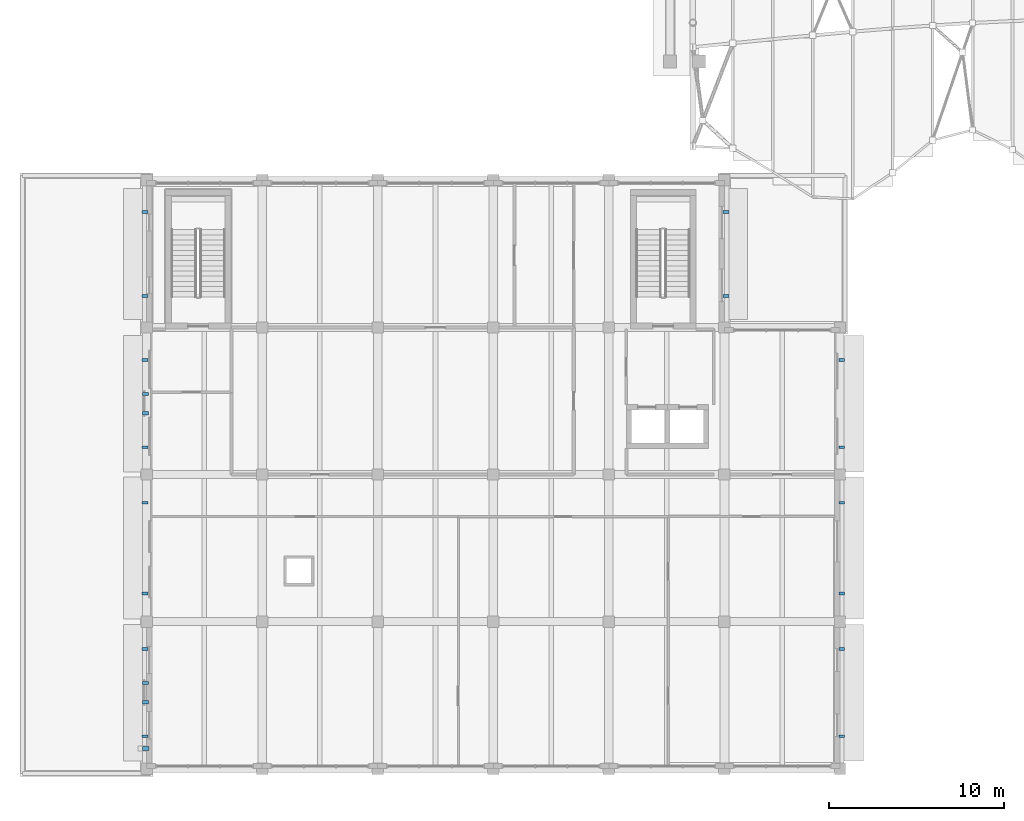
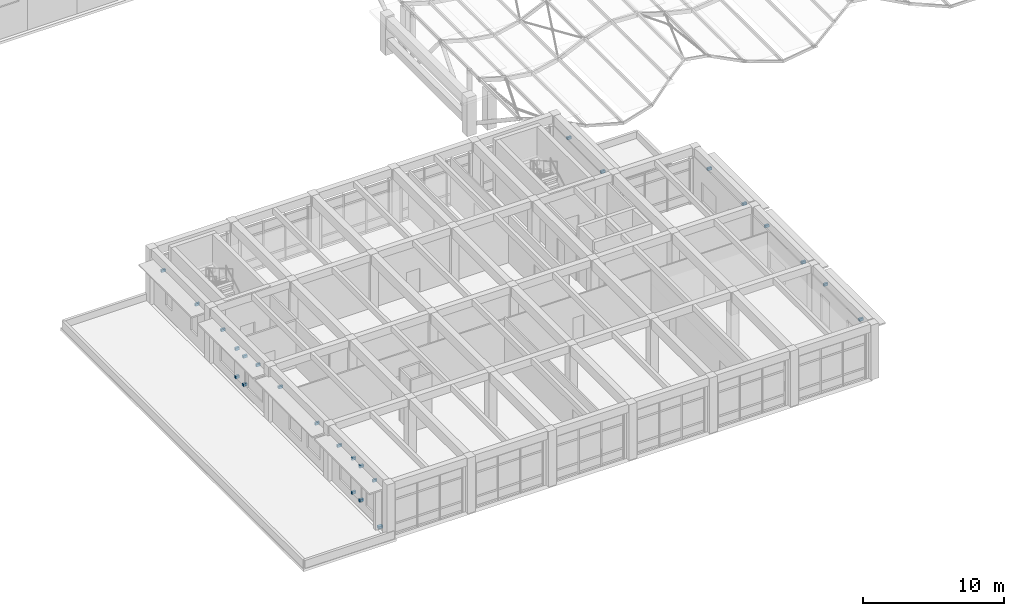
# One storey, part 63 of 79: 25 discrete accessories.
"""IFC4 building model written with IfcOpenShell, lengths in metres."""

import ifcopenshell
import ifcopenshell.guid

model = None  # the IFC model being written
_history = None  # IfcOwnerHistory: only IFC2X3 demands one
_inside = {}  # id of a spatial element -> (the spatial element, [elements in it])
_under = {}  # id of a project, library or spatial element -> (it, [spatial elements below it])
_declared = {}  # id of a project -> (the project, [libraries it declares])
_typed = {}  # id of a type object -> (the type object, [elements of that type])
_made_of = {}  # id of a material, layer set ... -> (it, [elements and type objects made of it])


def new_model(schema):
    """Start an empty IFC model of exactly this schema.

    Asked for "IFC4X3", IfcOpenShell would pick the latest addendum, in which some entities
    have other attributes; the version numbers below select the first issue.
    IFC2X3 requires an IfcOwnerHistory on every rooted entity: one is made here for all.
    """
    global model, _history
    if schema == "IFC4X3":
        model = ifcopenshell.file(schema_version=(4, 3, 0, 0))
    else:
        model = ifcopenshell.file(schema=schema)
    _inside.clear()
    _under.clear()
    _declared.clear()
    _typed.clear()
    _made_of.clear()
    _history = None
    if model.schema == "IFC2X3":
        org = make("IfcOrganization", Name="unknown")
        user = make(
            "IfcPersonAndOrganization",
            ThePerson=make("IfcPerson", FamilyName="unknown"),
            TheOrganization=org,
        )
        app = make(
            "IfcApplication",
            ApplicationDeveloper=org,
            Version="unknown",
            ApplicationFullName="unknown",
            ApplicationIdentifier="unknown",
        )
        _history = make(
            "IfcOwnerHistory",
            OwningUser=user,
            OwningApplication=app,
            ChangeAction="ADDED",
            CreationDate=0,
        )
    return model


def make(cls, **values):
    """One entity of the class cls with the attributes given. An attribute that is None is left unset."""
    return model.create_entity(
        cls, **{name: value for name, value in values.items() if value is not None}
    )


def rooted(cls, **values):
    """An entity with a GlobalId (a new one), such as an element, a storey or a relation."""
    return make(cls, GlobalId=ifcopenshell.guid.new(), OwnerHistory=_history, **values)


def si_unit(unit_type, name, prefix=None):
    """IfcSIUnit, for example si_unit("LENGTHUNIT", "METRE", prefix="MILLI")."""
    return make("IfcSIUnit", UnitType=unit_type, Prefix=prefix, Name=name)


def assignment(units):
    """IfcUnitAssignment: the units of a project."""
    return None if units is None else make("IfcUnitAssignment", Units=units)


def point(xyz):
    """IfcCartesianPoint."""
    return None if xyz is None else make("IfcCartesianPoint", Coordinates=xyz)


def direction(xyz):
    """IfcDirection."""
    return None if xyz is None else make("IfcDirection", DirectionRatios=xyz)


def frame(location, z_axis=None, x_axis=None):
    """IfcAxis2Placement3D, a coordinate frame: its origin and axes. An axis left out is left unset."""
    return make(
        "IfcAxis2Placement3D",
        Location=point(location),
        Axis=direction(z_axis),
        RefDirection=direction(x_axis),
    )


def frame_2d(location, x_axis=None):
    """IfcAxis2Placement2D, a coordinate frame in the plane: its origin and x axis."""
    return make(
        "IfcAxis2Placement2D", Location=point(location), RefDirection=direction(x_axis)
    )


def origin():
    """The frame at (0, 0, 0) with its axes left unset."""
    return frame((0.0, 0.0, 0.0))


def origin_2d():
    """The frame at (0, 0) in the plane with its x axis left unset."""
    return frame_2d((0.0, 0.0))


def place(relative_to, where):
    """IfcLocalPlacement: puts the frame where relative to a parent placement (None: the world)."""
    return make(
        "IfcLocalPlacement", PlacementRelTo=relative_to, RelativePlacement=where
    )


def context(
    kind, dimensions, precision=None, world=None, true_north=None, identifier=None
):
    """IfcGeometricRepresentationContext, for example the 3D "Model" context."""
    return make(
        "IfcGeometricRepresentationContext",
        ContextIdentifier=identifier,
        ContextType=kind,
        CoordinateSpaceDimension=dimensions,
        Precision=precision,
        WorldCoordinateSystem=world,
        TrueNorth=true_north,
    )


def subcontext(parent, identifier, kind, view, scale=None):
    """IfcGeometricRepresentationSubContext, for example "Body" below "Model"."""
    return make(
        "IfcGeometricRepresentationSubContext",
        ContextIdentifier=identifier,
        ContextType=kind,
        ParentContext=parent,
        TargetScale=scale,
        TargetView=view,
    )


def project(units=None, contexts=None):
    """IfcProject with its units and contexts."""
    return rooted(
        "IfcProject",
        Name="project",
        RepresentationContexts=contexts,
        UnitsInContext=assignment(units),
    )


def spatial(cls, under=None, at=None, **own):
    """A site, building, storey or space (cls), placed at a placement, below another one or the project."""
    s = rooted(cls, ObjectPlacement=at, **own)
    if under is not None:
        _under.setdefault(under.id(), (under, []))[1].append(s)
    return s


def profile(cls, at=None, kind="AREA", **sizes):
    """A parametric profile (cls). Its sizes go by their IFC names, for example OverallWidth=200.0."""
    return make(cls, ProfileType=kind, Position=at, **sizes)


def rectangle(**sizes):
    """IfcRectangleProfileDef."""
    return profile("IfcRectangleProfileDef", **sizes)


def extrude(swept, where, along, depth):
    """IfcExtrudedAreaSolid: the profile swept, set in the frame where, extruded along a direction by depth."""
    return make(
        "IfcExtrudedAreaSolid",
        SweptArea=swept,
        Position=where,
        ExtrudedDirection=direction(along),
        Depth=depth,
    )


def shape(context_of_items, identifier, shape_type, items):
    """IfcShapeRepresentation: the items that make up one representation, for example the "Body"."""
    return make(
        "IfcShapeRepresentation",
        ContextOfItems=context_of_items,
        RepresentationIdentifier=identifier,
        RepresentationType=shape_type,
        Items=items,
    )


def material(Name=None, Category=None):
    """IfcMaterial."""
    return make("IfcMaterial", Name=Name, Category=Category)


def made_of(thing, what):
    """Note that an element or type object is made of a material, layer set ...; save() writes the relation."""
    if what is not None:
        _made_of.setdefault(what.id(), (what, []))[1].append(thing)
    return thing


def type_object(cls, material=None, **own):
    """A type object (cls), such as IfcWallType, which elements share."""
    return made_of(rooted(cls, **own), material)


def element(
    cls,
    number,
    at=None,
    inside=None,
    cuts=None,
    type_object=None,
    material=None,
    context=None,
    identifier="Body",
    shape_type=None,
    held_by="IfcProductDefinitionShape",
    body=None,
    shapes=None,
    **own,
):
    """One element of the class cls, such as IfcWall. Its Tag is "e" and its number.

    at: its placement. inside: the storey or other place that contains it. cuts: it is an
    opening in that element (IfcRelVoidsElement). A single representation is given by context,
    identifier, shape_type and body (its items); several are given by shapes. held_by: the class
    of the entity that holds the representations. save() writes the other relations.
    """
    e = rooted(cls, Tag="e%d" % number, ObjectPlacement=at, **own)
    if body is not None:
        shapes = [shape(context, identifier, shape_type, body)]
    if shapes is not None:
        e.Representation = make(held_by, Representations=shapes)
    if inside is not None:
        _inside.setdefault(inside.id(), (inside, []))[1].append(e)
    if cuts is not None:
        rooted(
            "IfcRelVoidsElement", RelatingBuildingElement=cuts, RelatedOpeningElement=e
        )
    if type_object is not None:
        _typed.setdefault(type_object.id(), (type_object, []))[1].append(e)
    return made_of(e, material)


def aggregate(whole, parts):
    """IfcRelAggregates: a whole, such as a stair, and the parts it consists of."""
    return rooted("IfcRelAggregates", RelatingObject=whole, RelatedObjects=parts)


def save(model, path):
    """Write the relations noted so far, then the file.

    IfcRelAggregates (storeys below a building ...), IfcRelContainedInSpatialStructure (elements
    in a storey), IfcRelDefinesByType, IfcRelAssociatesMaterial and IfcRelDeclares: one each for
    every whole, place, type object, material and project.
    """
    for whole, parts in _under.values():
        aggregate(whole, parts)
    for where, things in _inside.values():
        rooted(
            "IfcRelContainedInSpatialStructure",
            RelatedElements=things,
            RelatingStructure=where,
        )
    for kind, things in _typed.values():
        rooted("IfcRelDefinesByType", RelatedObjects=things, RelatingType=kind)
    for what, things in _made_of.values():
        rooted("IfcRelAssociatesMaterial", RelatedObjects=things, RelatingMaterial=what)
    for by, libraries in _declared.values():
        rooted("IfcRelDeclares", RelatingContext=by, RelatedDefinitions=libraries)
    model.write(path)


model = new_model("IFC4")

# Units and contexts
model_context = context("Model", 3, precision=1e-05, world=origin(), true_north=direction((0.0, 1.0)))
body_context = subcontext(model_context, "Body", "Model", "MODEL_VIEW")
ifc_project = project(units=[si_unit("LENGTHUNIT", "METRE"), si_unit("AREAUNIT", "SQUARE_METRE"), si_unit("VOLUMEUNIT", "CUBIC_METRE"), si_unit("PLANEANGLEUNIT", "RADIAN"), si_unit("MASSUNIT", "GRAM", prefix="KILO")], contexts=[model_context])

# Site, building, storey
site_placement = place(None, origin())
site = spatial("IfcSite", under=ifc_project, at=site_placement, CompositionType="ELEMENT")
building_placement = place(site_placement, origin())
building = spatial("IfcBuilding", under=site, at=building_placement, Name="Kolvaren Faculty of Natural Sciences", CompositionType="ELEMENT")
storey_placement = place(building_placement, frame((0.0, 0.0, 10.199951171875)))
storey = spatial("IfcBuildingStorey", under=building, at=storey_placement, Name="L02", CompositionType="ELEMENT", Elevation=10.199951171875)

# Discrete accessories
ifc_material = material(Name="Structural steel EN 10025-2 S355J2", Category="steel")
discrete_accessory_type = type_object("IfcDiscreteAccessoryType", Name="FacadeSupportBracket_260", PredefinedType="BRACKET", material=ifc_material)
for number, where, z_axis, x_axis, name in (
    (1, (39.89990234375, 40.39990234375, 3.56494140625), (0.0, 0.0, 1.0), (0.0, -1.0, 0.0), "L02 chhajja hood steel bracket"),
    (2, (39.89990234375, 35.60009765625, 3.56494140625), (0.0, 0.0, 1.0), (0.0, -1.0, 0.0), "L02 chhajja hood steel bracket"),
    (3, (46.5, 31.946044921875, 3.71484375), (0.0, 0.0, 1.0), (0.0, -1.0, 0.0), "L02 chhajja hood steel bracket"),
    (4, (46.5, 26.9541015625, 3.71484375), (0.0, 0.0, 1.0), (0.0, -1.0, 0.0), "L02 chhajja hood steel bracket"),
    (5, (46.5, 23.7919921875, 3.71484375), (0.0, 0.0, 1.0), (0.0, -1.0, 0.0), "L02 chhajja hood steel bracket"),
    (6, (46.5, 18.60791015625, 3.71484375), (0.0, 0.0, 1.0), (0.0, -1.0, 0.0), "L02 chhajja hood steel bracket"),
    (7, (46.5, 15.446044921875, 3.71484375), (0.0, 0.0, 1.0), (0.0, -1.0, 0.0), "L02 chhajja hood steel bracket"),
    (8, (46.5, 10.4541015625, 3.71484375), (0.0, 0.0, 1.0), (0.0, -1.0, 0.0), "L02 chhajja hood steel bracket"),
):
    element("IfcDiscreteAccessory", number, at=place(storey_placement, frame(where, z_axis=z_axis, x_axis=x_axis)), inside=storey, type_object=discrete_accessory_type, Name=name, PredefinedType="BRACKET", context=body_context, shape_type="SweptSolid", body=[
        extrude(rectangle(XDim=0.159912109375, YDim=0.340087890625, at=origin_2d()), origin(), (0.0, 0.0, 1.0), 0.219970703125),
    ])
discrete_accessory_placement = place(storey_placement, frame((6.760009765625, 9.75, 0.10986328125), z_axis=(0.0, 0.0, 1.0), x_axis=(0.0, 1.0, 0.0)))
element("IfcDiscreteAccessory", 9, at=discrete_accessory_placement, inside=storey, type_object=discrete_accessory_type, Name="L02 facade relief pier anchor bracket 3", PredefinedType="BRACKET", context=body_context, shape_type="SweptSolid", body=[
    extrude(rectangle(XDim=0.239990234375, YDim=0.360107421875, at=origin_2d()), origin(), (0.0, 0.0, 1.0), 0.219970703125),
])
for number, where, z_axis, x_axis, name in (
    (10, (6.699951171875, 10.4541015625, 3.71484375), (0.0, 0.0, 1.0), (0.0, 1.0, 0.0), "L02 chhajja hood steel bracket"),
    (11, (6.699951171875, 15.446044921875, 3.71484375), (0.0, 0.0, 1.0), (0.0, 1.0, 0.0), "L02 chhajja hood steel bracket"),
):
    element("IfcDiscreteAccessory", number, at=place(storey_placement, frame(where, z_axis=z_axis, x_axis=x_axis)), inside=storey, type_object=discrete_accessory_type, Name=name, PredefinedType="BRACKET", context=body_context, shape_type="SweptSolid", body=[
        extrude(rectangle(XDim=0.159912109375, YDim=0.340087890625, at=origin_2d()), origin(), (0.0, 0.0, 1.0), 0.219970703125),
    ])
for number, where, z_axis, x_axis, name in (
    (12, (6.739990234375, 12.39892578125, 0.81982421875), (0.0, 0.0, 1.0), (0.0, 1.0, 0.0), "L02 jali screen wall bracket"),
    (13, (6.739990234375, 13.5009765625, 0.81982421875), (0.0, 0.0, 1.0), (0.0, 1.0, 0.0), "L02 jali screen wall bracket"),
    (14, (6.739990234375, 12.39892578125, 3.76025390625), (0.0, 0.0, 1.0), (0.0, 1.0, 0.0), "L02 jali screen wall bracket"),
    (15, (6.739990234375, 13.5009765625, 3.76025390625), (0.0, 0.0, 1.0), (0.0, 1.0, 0.0), "L02 jali screen wall bracket"),
):
    element("IfcDiscreteAccessory", number, at=place(storey_placement, frame(where, z_axis=z_axis, x_axis=x_axis)), inside=storey, type_object=discrete_accessory_type, Name=name, PredefinedType="BRACKET", context=body_context, shape_type="SweptSolid", body=[
        extrude(rectangle(XDim=0.179931640625, YDim=0.320068359375, at=origin_2d()), origin(), (0.0, 0.0, 1.0), 0.219970703125),
    ])
for number, where, z_axis, x_axis, name in (
    (16, (6.699951171875, 18.60791015625, 3.71484375), (0.0, 0.0, 1.0), (0.0, 1.0, 0.0), "L02 chhajja hood steel bracket"),
    (17, (6.699951171875, 23.7919921875, 3.71484375), (0.0, 0.0, 1.0), (0.0, 1.0, 0.0), "L02 chhajja hood steel bracket"),
    (18, (6.699951171875, 26.9541015625, 3.71484375), (0.0, 0.0, 1.0), (0.0, 1.0, 0.0), "L02 chhajja hood steel bracket"),
    (19, (6.699951171875, 31.946044921875, 3.71484375), (0.0, 0.0, 1.0), (0.0, 1.0, 0.0), "L02 chhajja hood steel bracket"),
):
    element("IfcDiscreteAccessory", number, at=place(storey_placement, frame(where, z_axis=z_axis, x_axis=x_axis)), inside=storey, type_object=discrete_accessory_type, Name=name, PredefinedType="BRACKET", context=body_context, shape_type="SweptSolid", body=[
        extrude(rectangle(XDim=0.159912109375, YDim=0.340087890625, at=origin_2d()), origin(), (0.0, 0.0, 1.0), 0.219970703125),
    ])
for number, where, z_axis, x_axis, name in (
    (20, (6.739990234375, 28.89892578125, 0.81982421875), (0.0, 0.0, 1.0), (0.0, 1.0, 0.0), "L02 jali screen wall bracket"),
    (21, (6.739990234375, 30.0009765625, 0.81982421875), (0.0, 0.0, 1.0), (0.0, 1.0, 0.0), "L02 jali screen wall bracket"),
    (22, (6.739990234375, 28.89892578125, 3.26025390625), (0.0, 0.0, 1.0), (0.0, 1.0, 0.0), "L02 jali screen wall bracket"),
    (23, (6.739990234375, 30.0009765625, 3.26025390625), (0.0, 0.0, 1.0), (0.0, 1.0, 0.0), "L02 jali screen wall bracket"),
):
    element("IfcDiscreteAccessory", number, at=place(storey_placement, frame(where, z_axis=z_axis, x_axis=x_axis)), inside=storey, type_object=discrete_accessory_type, Name=name, PredefinedType="BRACKET", context=body_context, shape_type="SweptSolid", body=[
        extrude(rectangle(XDim=0.179931640625, YDim=0.320068359375, at=origin_2d()), origin(), (0.0, 0.0, 1.0), 0.219970703125),
    ])
for number, where, z_axis, x_axis, name in (
    (24, (6.699951171875, 35.60009765625, 3.71484375), (0.0, 0.0, 1.0), (0.0, 1.0, 0.0), "L02 chhajja hood steel bracket"),
    (25, (6.699951171875, 40.39990234375, 3.71484375), (0.0, 0.0, 1.0), (0.0, 1.0, 0.0), "L02 chhajja hood steel bracket"),
):
    element("IfcDiscreteAccessory", number, at=place(storey_placement, frame(where, z_axis=z_axis, x_axis=x_axis)), inside=storey, type_object=discrete_accessory_type, Name=name, PredefinedType="BRACKET", context=body_context, shape_type="SweptSolid", body=[
        extrude(rectangle(XDim=0.159912109375, YDim=0.340087890625, at=origin_2d()), origin(), (0.0, 0.0, 1.0), 0.219970703125),
    ])

save(model, "model.ifc")
